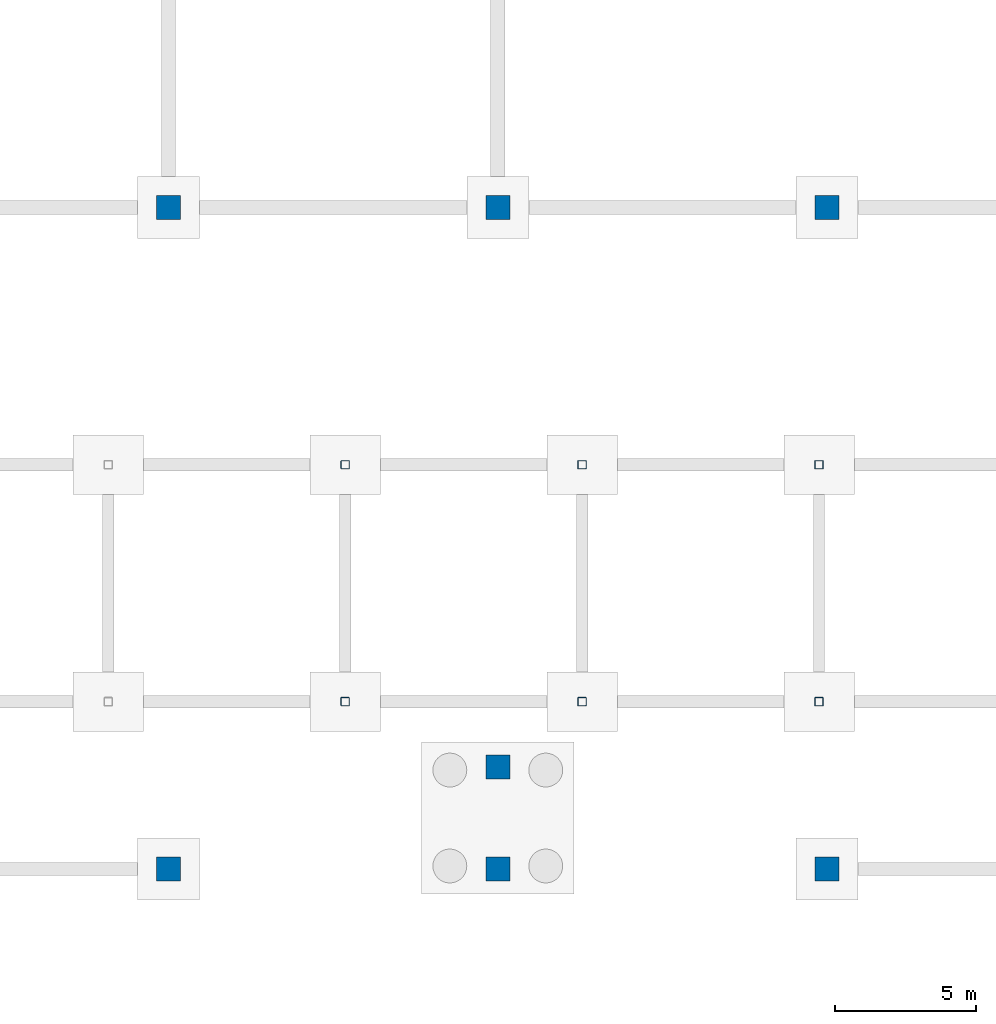
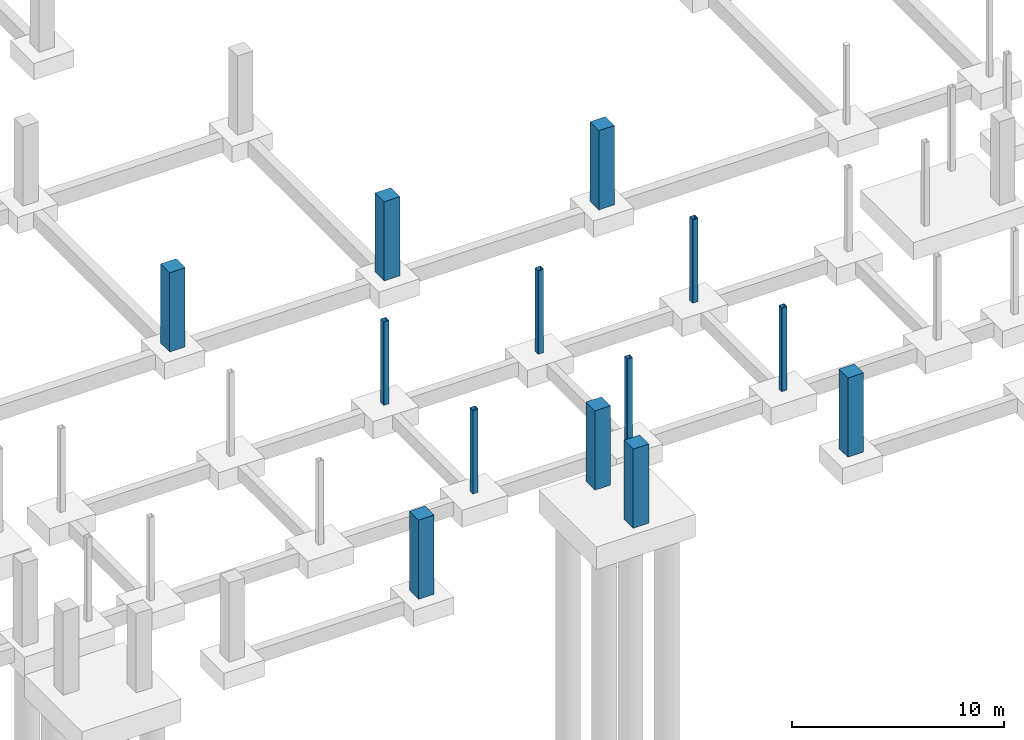
# One storey, part 12 of 44: 13 columns.
"""IFC4 building model written with IfcOpenShell, lengths in metres."""

from ifc_helpers import new_model, si_unit, direction, frame, origin, origin_2d, place, context, subcontext, project, spatial, rectangle, hollow_rectangle, extrude, material, material_profile, profile_set, type_object, element, save


model = new_model("IFC4")

# Units and contexts
model_context = context("Model", 3, precision=1e-05, world=origin(), true_north=direction((0.0, 1.0)))
body_context = subcontext(model_context, "Body", "Model", "MODEL_VIEW")
ifc_project = project(units=[si_unit("LENGTHUNIT", "METRE"), si_unit("AREAUNIT", "SQUARE_METRE"), si_unit("VOLUMEUNIT", "CUBIC_METRE"), si_unit("PLANEANGLEUNIT", "RADIAN"), si_unit("MASSUNIT", "GRAM", prefix="KILO")], contexts=[model_context])

# Site, building, storey
site_placement = place(None, origin())
site = spatial("IfcSite", under=ifc_project, at=site_placement, CompositionType="ELEMENT")
building_placement = place(site_placement, origin())
building = spatial("IfcBuilding", under=site, at=building_placement, Name="Kisaragi Civic Commons", CompositionType="ELEMENT")
storey_placement = place(building_placement, frame((0.0, 0.0, -4.800048828125)))
storey = spatial("IfcBuildingStorey", under=building, at=storey_placement, Name="B1", CompositionType="ELEMENT", Elevation=-4.800048828125)

# Columns
ifc_material_1 = material(Name="Concrete Fc36", Category="concrete")
ifc_material_profile_1 = material_profile(ifc_material_1, rectangle(XDim=0.85009765625, YDim=0.85009765625, at=origin_2d()), Name="RC-850x850", Category="concrete")
ifc_profile_set_1 = profile_set([ifc_material_profile_1], Name="Concrete Fc36")
column_type_1 = type_object("IfcColumnType", Name="C-01", PredefinedType="COLUMN", material=ifc_profile_set_1)
for number, where, z_axis, x_axis, name in (
    (1, (65.736328125, 2.467041015625, 0.0), (0.0, 0.0, 1.0), (1.0, 0.0, 0.0), "B1 column C-01 (65.7,2.5)"),
    (2, (65.736328125, 25.926025390625, 0.0), (0.0, 0.0, 1.0), (1.0, 0.0, 0.0), "B1 column C-01 (65.7,25.9)"),
    (3, (77.409912109375, 2.467041015625, 0.0), (0.0, 0.0, 1.0), (1.0, 0.0, 0.0), "B1 column C-01 (77.4,2.5)"),
    (4, (77.409912109375, 6.0830078125, 0.0), (0.0, 0.0, 1.0), (1.0, 0.0, 0.0), "B1 column C-01 (77.4,6.1)"),
    (5, (77.409912109375, 25.926025390625, 0.0), (0.0, 0.0, 1.0), (1.0, 0.0, 0.0), "B1 column C-01 (77.4,25.9)"),
    (6, (89.08349609375, 2.467041015625, 0.0), (0.0, 0.0, 1.0), (1.0, 0.0, 0.0), "B1 column C-01 (89.1,2.5)"),
    (7, (89.08349609375, 25.926025390625, 0.0), (0.0, 0.0, 1.0), (1.0, 0.0, 0.0), "B1 column C-01 (89.1,25.9)"),
):
    element("IfcColumn", number, at=place(storey_placement, frame(where, z_axis=z_axis, x_axis=x_axis)), inside=storey, type_object=column_type_1, Name=name, PredefinedType="COLUMN", context=body_context, shape_type="SweptSolid", body=[
        extrude(rectangle(XDim=0.85009765625, YDim=0.85009765625, at=origin_2d()), origin(), (0.0, 0.0, 1.0), 4.554931640625),
    ])
ifc_material_2 = material(Name="Steel BCR295", Category="steel")
ifc_material_profile_2 = material_profile(ifc_material_2, hollow_rectangle(XDim=0.300048828125, YDim=0.300048828125, WallThickness=0.011962890625, InnerFilletRadius=0.011962890625, OuterFilletRadius=0.02392578125, at=origin_2d()), Name="BCR-300x300x12", Category="steel")
ifc_profile_set_2 = profile_set([ifc_material_profile_2], Name="Steel BCR295")
column_type_2 = type_object("IfcColumnType", Name="C-14", PredefinedType="COLUMN", material=ifc_profile_set_2)
for number, where, z_axis, x_axis, name in (
    (8, (72.0, 8.39990234375, 0.0), (0.0, 0.0, 1.0), (1.0, 0.0, 0.0), "B1 column C-14 (72.0,8.4)"),
    (9, (72.0, 16.800048828125, 0.0), (0.0, 0.0, 1.0), (1.0, 0.0, 0.0), "B1 column C-14 (72.0,16.8)"),
    (10, (80.39990234375, 8.39990234375, 0.0), (0.0, 0.0, 1.0), (1.0, 0.0, 0.0), "B1 column C-14 (80.4,8.4)"),
    (11, (80.39990234375, 16.800048828125, 0.0), (0.0, 0.0, 1.0), (1.0, 0.0, 0.0), "B1 column C-14 (80.4,16.8)"),
    (12, (88.800048828125, 8.39990234375, 0.0), (0.0, 0.0, 1.0), (1.0, 0.0, 0.0), "B1 column C-14 (88.8,8.4)"),
    (13, (88.800048828125, 16.800048828125, 0.0), (0.0, 0.0, 1.0), (1.0, 0.0, 0.0), "B1 column C-14 (88.8,16.8)"),
):
    element("IfcColumn", number, at=place(storey_placement, frame(where, z_axis=z_axis, x_axis=x_axis)), inside=storey, type_object=column_type_2, Name=name, PredefinedType="COLUMN", context=body_context, shape_type="SweptSolid", body=[
        extrude(hollow_rectangle(XDim=0.300048828125, YDim=0.300048828125, WallThickness=0.011962890625, InnerFilletRadius=0.011962890625, OuterFilletRadius=0.02392578125, at=origin_2d()), origin(), (0.0, 0.0, 1.0), 4.800048828125),
    ])

save(model, "model.ifc")
